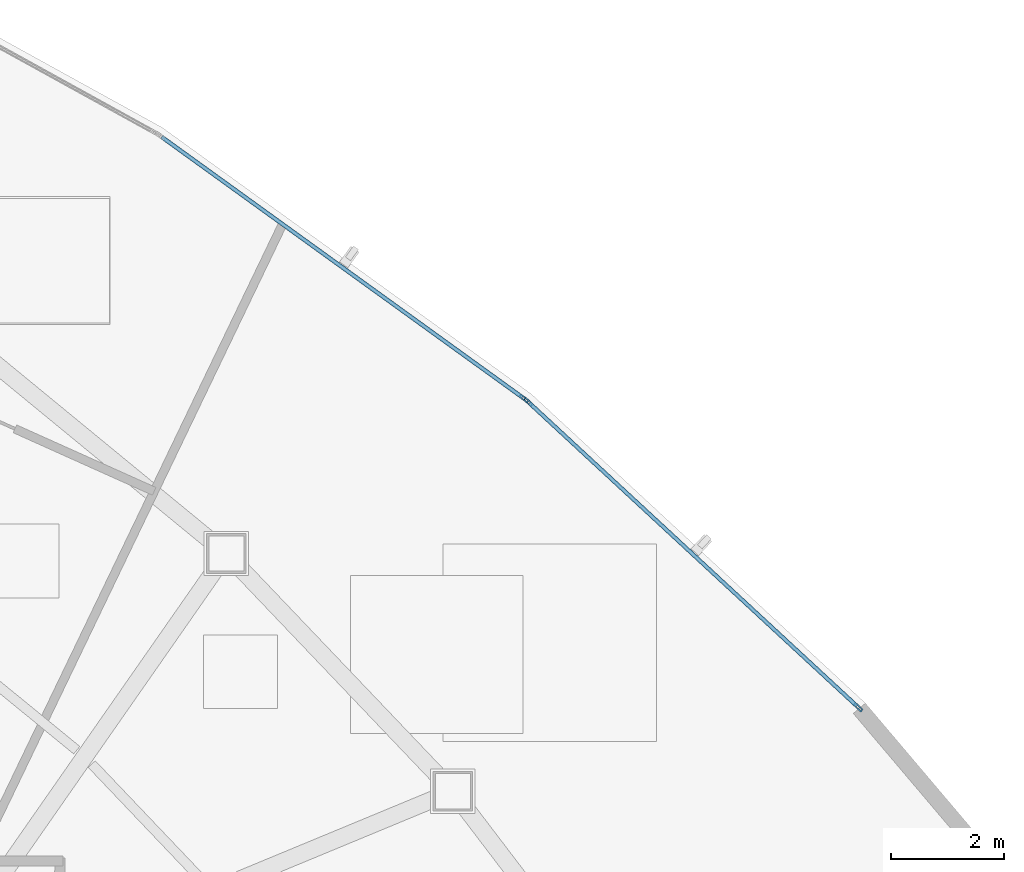
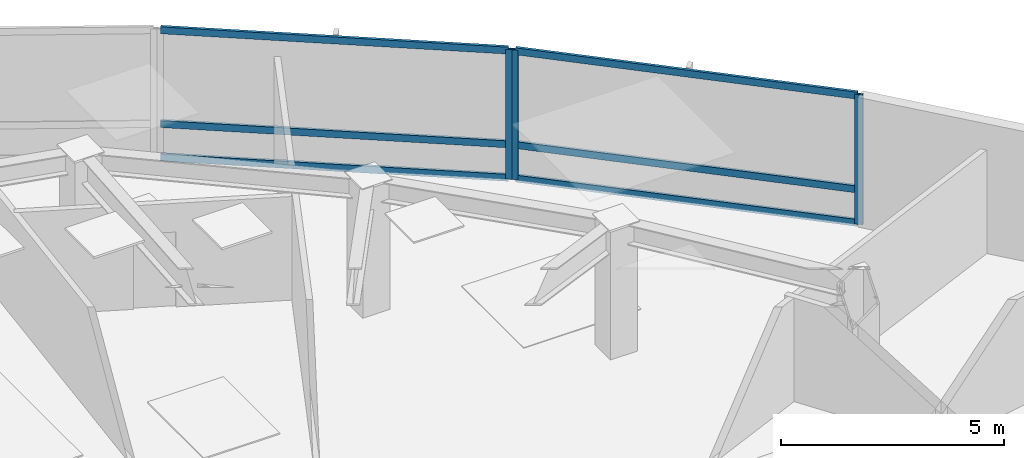
# One storey, part 9 of 17: 9 members, 2 elements without a shape of their own.
"""IFC4 building model written with IfcOpenShell, lengths in metres."""

from ifc_helpers import new_model, si_unit, direction, frame, origin, origin_2d, place, context, subcontext, project, spatial, hollow_rectangle, extrude, source, transform, mapped, material, layer, layer_set, material_profile, profile_set, type_object, type_shapes, element, aggregate, save


model = new_model("IFC4")

# Units and contexts
model_context = context("Model", 3, precision=1e-05, world=origin(), true_north=direction((0.0, 1.0)))
body_context = subcontext(model_context, "Body", "Model", "MODEL_VIEW")
ifc_project = project(units=[si_unit("LENGTHUNIT", "METRE"), si_unit("AREAUNIT", "SQUARE_METRE"), si_unit("VOLUMEUNIT", "CUBIC_METRE"), si_unit("PLANEANGLEUNIT", "RADIAN"), si_unit("MASSUNIT", "GRAM", prefix="KILO")], contexts=[model_context])

# Site, building, storey
site_placement = place(None, origin())
site = spatial("IfcSite", under=ifc_project, at=site_placement, CompositionType="ELEMENT")
building_placement = place(site_placement, origin())
building = spatial("IfcBuilding", under=site, at=building_placement, Name="Tavelor Broadcast Tower", CompositionType="ELEMENT")
storey_placement = place(building_placement, frame((0.0, 0.0, 119.449951171875)))
storey = spatial("IfcBuildingStorey", under=building, at=storey_placement, Name="L27", CompositionType="ELEMENT", Elevation=119.449951171875)

# Curtain wall, members
ifc_material = material(Name="Architectural Anodized Aluminium", Category="aluminium")
ifc_layer = layer(ifc_material, 0.18994140625)
ifc_layer_set = layer_set([ifc_layer], Name="Architectural Anodized Aluminium")
curtain_wall_type = type_object("IfcCurtainWallType", Name="Tower Mid-Zone Acoustic Curtain Wall CW03", PredefinedType="NOTDEFINED", material=ifc_layer_set)
curtain_wall_1_placement = place(storey_placement, origin())
curtain_wall_1 = element("IfcCurtainWall", 1, at=curtain_wall_1_placement, inside=storey, type_object=curtain_wall_type, Name="L27 Curtain Wall CW03 Run 273", PredefinedType="NOTDEFINED")
ifc_material_profile_1 = material_profile(ifc_material, hollow_rectangle(XDim=0.068115234375, YDim=0.18994140625, WallThickness=0.02197265625, at=origin_2d()), Name="RHS 68x190x22")
ifc_profile_set_1 = profile_set([ifc_material_profile_1], Name="Architectural Anodized Aluminium")
member_type_1 = type_object("IfcMemberType", Name="CW03 Extruded Aluminium Transom 68x190", PredefinedType="USERDEFINED", material=ifc_profile_set_1)
shared_shape_1 = source(origin(), body_context, "Body", "SweptSolid", [
    extrude(hollow_rectangle(XDim=0.068115234375, YDim=0.18994140625, WallThickness=0.02197265625, at=origin_2d()), origin(), (0.0, 0.0, 1.0), 7.85302734375),
])
member_1_placement = place(storey_placement, frame((73.43896484375, 56.73193359375, 0.033935546875), z_axis=(-0.73401032345, 0.679138310706, 0.0), x_axis=(-0.679138310706, -0.73401032345, 0.0)))
member_1 = element("IfcMember", 2, at=member_1_placement, type_object=member_type_1, Name="CW03 transom 1.1", ObjectType="TRANSOM", PredefinedType="USERDEFINED", context=body_context, shape_type="MappedRepresentation", body=[
    mapped(shared_shape_1, transform((0.0, 0.0, 0.0), scale=1.0)),
])
member_2_placement = place(storey_placement, frame((73.43896484375, 56.73193359375, 0.949951171875), z_axis=(-0.73401032345, 0.679138310706, 0.0), x_axis=(-0.679138310706, -0.73401032345, 0.0)))
member_2 = element("IfcMember", 3, at=member_2_placement, type_object=member_type_1, Name="CW03 transom 1.2", ObjectType="TRANSOM", PredefinedType="USERDEFINED", context=body_context, shape_type="MappedRepresentation", body=[
    mapped(shared_shape_1, transform((0.0, 0.0, 0.0), scale=1.0)),
])
member_3_placement = place(storey_placement, frame((73.43896484375, 56.73193359375, 3.51611328125), z_axis=(-0.73401032345, 0.679138310706, 0.0), x_axis=(-0.679138310706, -0.73401032345, 0.0)))
member_3 = element("IfcMember", 4, at=member_3_placement, type_object=member_type_1, Name="CW03 transom 1.3", ObjectType="TRANSOM", PredefinedType="USERDEFINED", context=body_context, shape_type="MappedRepresentation", body=[
    mapped(shared_shape_1, transform((0.0, 0.0, 0.0), scale=1.0)),
])
ifc_material_profile_2 = material_profile(ifc_material, hollow_rectangle(XDim=0.068115234375, YDim=0.18994140625, WallThickness=0.02197265625, at=origin_2d()), Name="RHS 68x190x22")
ifc_profile_set_2 = profile_set([ifc_material_profile_2], Name="Architectural Anodized Aluminium")
member_type_2 = type_object("IfcMemberType", Name="CW03 Extruded Aluminium Mullion 68x190", PredefinedType="MULLION", material=ifc_profile_set_2)
shared_shape_2 = source(origin(), body_context, "Body", "SweptSolid", [
    extrude(hollow_rectangle(XDim=0.068115234375, YDim=0.18994140625, WallThickness=0.02197265625, at=origin_2d()), origin(), (0.0, 0.0, 1.0), 3.550048828125),
])
type_shapes(member_type_2, [shared_shape_2])
member_4_placement = place(storey_placement, frame((73.4638671875, 56.708984375, 0.0), z_axis=(0.0, 0.0, 1.0), x_axis=(-0.679123430207, -0.734024091256, 0.0)))
member_4 = element("IfcMember", 5, at=member_4_placement, type_object=member_type_2, Name="CW03 mullion 1", PredefinedType="MULLION", context=body_context, shape_type="MappedRepresentation", body=[
    mapped(shared_shape_2, transform((0.0, 0.0, 0.0), scale=1.0)),
])
member_5_placement = place(storey_placement, frame((67.649658203125, 62.088134765625, 0.0), z_axis=(0.0, 0.0, 1.0), x_axis=(-0.679123430207, -0.734024091256, 0.0)))
member_5 = element("IfcMember", 6, at=member_5_placement, type_object=member_type_2, Name="CW03 mullion 2", PredefinedType="MULLION", context=body_context, shape_type="MappedRepresentation", body=[
    mapped(shared_shape_2, transform((0.0, 0.0, 0.0), scale=1.0)),
])
aggregate(curtain_wall_1, [member_4, member_5, member_1, member_2, member_3])

curtain_wall_2_placement = place(storey_placement, origin())
curtain_wall_2 = element("IfcCurtainWall", 7, at=curtain_wall_2_placement, inside=storey, type_object=curtain_wall_type, Name="L27 Curtain Wall CW03 Run 274", PredefinedType="NOTDEFINED")
member_6_placement = place(storey_placement, frame((67.573974609375, 62.150146484375, 0.0), z_axis=(0.0, 0.0, 1.0), x_axis=(-0.585312883874, -0.810807515981, 0.0)))
member_6 = element("IfcMember", 8, at=member_6_placement, type_object=member_type_2, Name="CW03 mullion 1", PredefinedType="MULLION", context=body_context, shape_type="MappedRepresentation", body=[
    mapped(shared_shape_2, transform((0.0, 0.0, 0.0), scale=1.0)),
])
shared_shape_3 = source(origin(), body_context, "Body", "SweptSolid", [
    extrude(hollow_rectangle(XDim=0.068115234375, YDim=0.18994140625, WallThickness=0.02197265625, at=origin_2d()), origin(), (0.0, 0.0, 1.0), 7.838134765625),
])
type_shapes(member_type_1, [shared_shape_1, shared_shape_3])
member_7_placement = place(storey_placement, frame((67.54638671875, 62.169921875, 0.033935546875), z_axis=(-0.810789275483, 0.585338150783, 0.0), x_axis=(-0.585338150783, -0.810789275483, 0.0)))
member_7 = element("IfcMember", 9, at=member_7_placement, type_object=member_type_1, Name="CW03 transom 1.1", ObjectType="TRANSOM", PredefinedType="USERDEFINED", context=body_context, shape_type="MappedRepresentation", body=[
    mapped(shared_shape_3, transform((0.0, 0.0, 0.0), scale=1.0)),
])
member_8_placement = place(storey_placement, frame((67.54638671875, 62.169921875, 0.949951171875), z_axis=(-0.810789275483, 0.585338150783, 0.0), x_axis=(-0.585338150783, -0.810789275483, 0.0)))
member_8 = element("IfcMember", 10, at=member_8_placement, type_object=member_type_1, Name="CW03 transom 1.2", ObjectType="TRANSOM", PredefinedType="USERDEFINED", context=body_context, shape_type="MappedRepresentation", body=[
    mapped(shared_shape_3, transform((0.0, 0.0, 0.0), scale=1.0)),
])
member_9_placement = place(storey_placement, frame((67.54638671875, 62.169921875, 3.51611328125), z_axis=(-0.810789275483, 0.585338150783, 0.0), x_axis=(-0.585338150783, -0.810789275483, 0.0)))
member_9 = element("IfcMember", 11, at=member_9_placement, type_object=member_type_1, Name="CW03 transom 1.3", ObjectType="TRANSOM", PredefinedType="USERDEFINED", context=body_context, shape_type="MappedRepresentation", body=[
    mapped(shared_shape_3, transform((0.0, 0.0, 0.0), scale=1.0)),
])
aggregate(curtain_wall_2, [member_6, member_7, member_8, member_9])

save(model, "model.ifc")
